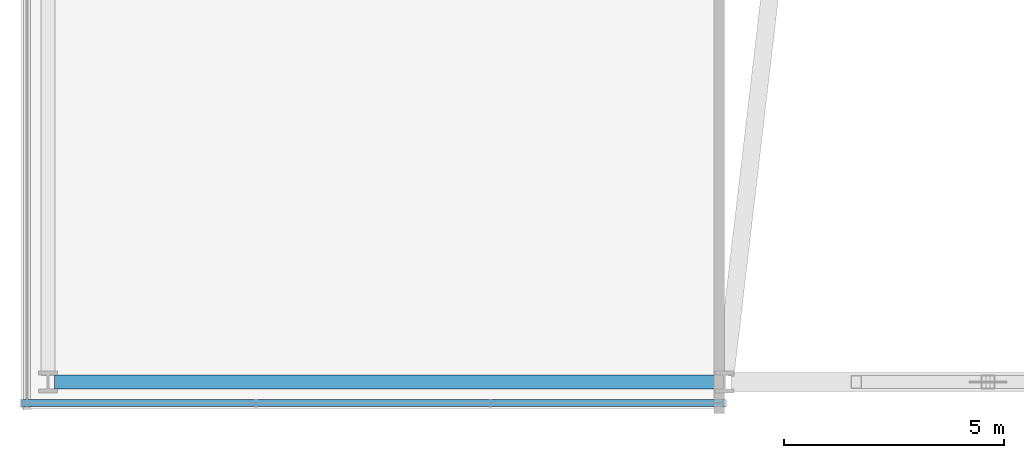
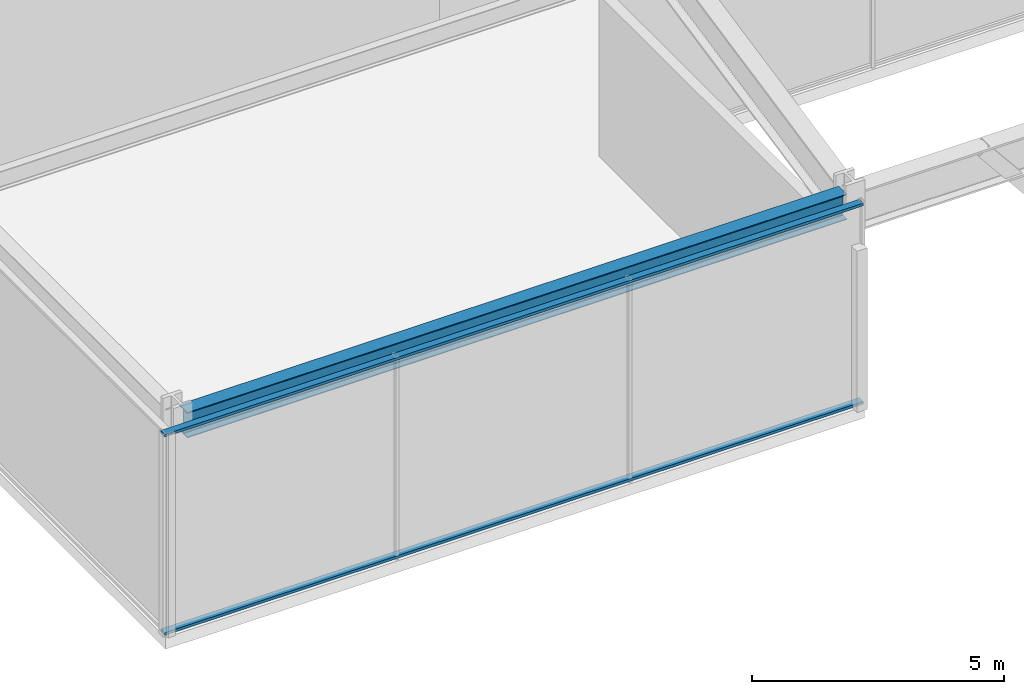
# One storey, part 3 of 49: 2 members, 1 beam, 1 element without a shape of its own.
"""IFC4 building model written with IfcOpenShell, lengths in metres."""

from ifc_helpers import new_model, si_unit, direction, frame, origin, origin_2d, place, context, subcontext, project, spatial, hollow_rectangle, i_section, extrude, material, material_profile, profile_set, type_object, element, aggregate, save


model = new_model("IFC4")

# Units and contexts
model_context = context("Model", 3, precision=1e-05, world=origin(), true_north=direction((0.0, 1.0)))
body_context = subcontext(model_context, "Body", "Model", "MODEL_VIEW")
ifc_project = project(units=[si_unit("LENGTHUNIT", "METRE"), si_unit("AREAUNIT", "SQUARE_METRE"), si_unit("VOLUMEUNIT", "CUBIC_METRE"), si_unit("PLANEANGLEUNIT", "RADIAN"), si_unit("MASSUNIT", "GRAM", prefix="KILO")], contexts=[model_context])

# Site, building, storey
site_placement = place(None, origin())
site = spatial("IfcSite", under=ifc_project, at=site_placement, CompositionType="ELEMENT")
building_placement = place(site_placement, origin())
building = spatial("IfcBuilding", under=site, at=building_placement, Name="Kolvaren Belvedere", CompositionType="ELEMENT")
storey_placement = place(building_placement, frame((0.0, 0.0, 10.0)))
storey = spatial("IfcBuildingStorey", under=building, at=storey_placement, Name="L03", CompositionType="ELEMENT", Elevation=10.0)

# Beam
ifc_material_1 = material(Name="Structural steel ASTM A992 Grade 50", Category="steel")
ifc_material_profile_1 = material_profile(ifc_material_1, i_section(OverallWidth=0.324951171875, OverallDepth=0.615966796875, WebThickness=0.013916015625, FlangeThickness=0.021484375, FilletRadius=0.02001953125, at=origin_2d()), Name="W24X117")
ifc_profile_set_1 = profile_set([ifc_material_profile_1], Name="Structural steel ASTM A992 Grade 50")
beam_type = type_object("IfcBeamType", Name="BM-SPAN-W24X117", PredefinedType="SPANDREL", material=ifc_profile_set_1)
beam_placement = place(storey_placement, frame((-27.25, -27.800048828125, 4.612060546875), z_axis=(1.0, 0.0, 0.0), x_axis=(0.0, 1.0, 0.0)))
element("IfcBeam", 1, at=beam_placement, inside=storey, type_object=beam_type, Name="L03 South Podium Spandrel 1", PredefinedType="SPANDREL", context=body_context, shape_type="SweptSolid", body=[
    extrude(i_section(OverallWidth=0.324951171875, OverallDepth=0.615966796875, WebThickness=0.013916015625, FlangeThickness=0.021484375, FilletRadius=0.02001953125, at=origin_2d()), origin(), (0.0, 0.0, 1.0), 15.10009765625),
])

# Curtain wall, members
ifc_material_2 = material(Name="Anodised pale-metal aluminium AA 6063-T6", Category="aluminium")
curtain_wall_type = type_object("IfcCurtainWallType", Name="CW-POD-A", PredefinedType="NOTDEFINED", material=ifc_material_2)
curtain_wall_placement = place(storey_placement, origin())
curtain_wall = element("IfcCurtainWall", 2, at=curtain_wall_placement, inside=storey, type_object=curtain_wall_type, Name="L03 Unitised Curtain Wall FCW-L03-SEG1", PredefinedType="NOTDEFINED")
ifc_material_3 = material(Name="Anodised pale-metal aluminium AA 6063-T6", Category="aluminium")
ifc_material_profile_2 = material_profile(ifc_material_3, hollow_rectangle(XDim=0.06494140625, YDim=0.159912109375, WallThickness=0.00390625, at=origin_2d()), Name="ALU-TRN-160X65")
ifc_profile_set_2 = profile_set([ifc_material_profile_2], Name="Anodised pale-metal aluminium AA 6063-T6")
member_type = type_object("IfcMemberType", Name="CW-TRN-160", PredefinedType="USERDEFINED", material=ifc_profile_set_2)
member_1_placement = place(storey_placement, frame((-12.0, -28.280029296875, 0.06005859375), z_axis=(-1.0, 0.0, 0.0), x_axis=(0.0, 0.0, 1.0)))
member_1 = element("IfcMember", 3, at=member_1_placement, type_object=member_type, Name="FCW-L03-SEG1 Sill Transom", ObjectType="TRANSOM", PredefinedType="USERDEFINED", context=body_context, shape_type="SweptSolid", body=[
    extrude(hollow_rectangle(XDim=0.06494140625, YDim=0.159912109375, WallThickness=0.00390625, at=origin_2d()), origin(), (0.0, 0.0, 1.0), 16.0),
])
member_2_placement = place(storey_placement, frame((-12.0, -28.280029296875, 4.860107421875), z_axis=(-1.0, 0.0, 0.0), x_axis=(0.0, 0.0, 1.0)))
member_2 = element("IfcMember", 4, at=member_2_placement, type_object=member_type, Name="FCW-L03-SEG1 Head Transom", ObjectType="TRANSOM", PredefinedType="USERDEFINED", context=body_context, shape_type="SweptSolid", body=[
    extrude(hollow_rectangle(XDim=0.06494140625, YDim=0.159912109375, WallThickness=0.00390625, at=origin_2d()), origin(), (0.0, 0.0, 1.0), 16.0),
])
aggregate(curtain_wall, [member_1, member_2])

save(model, "model.ifc")
